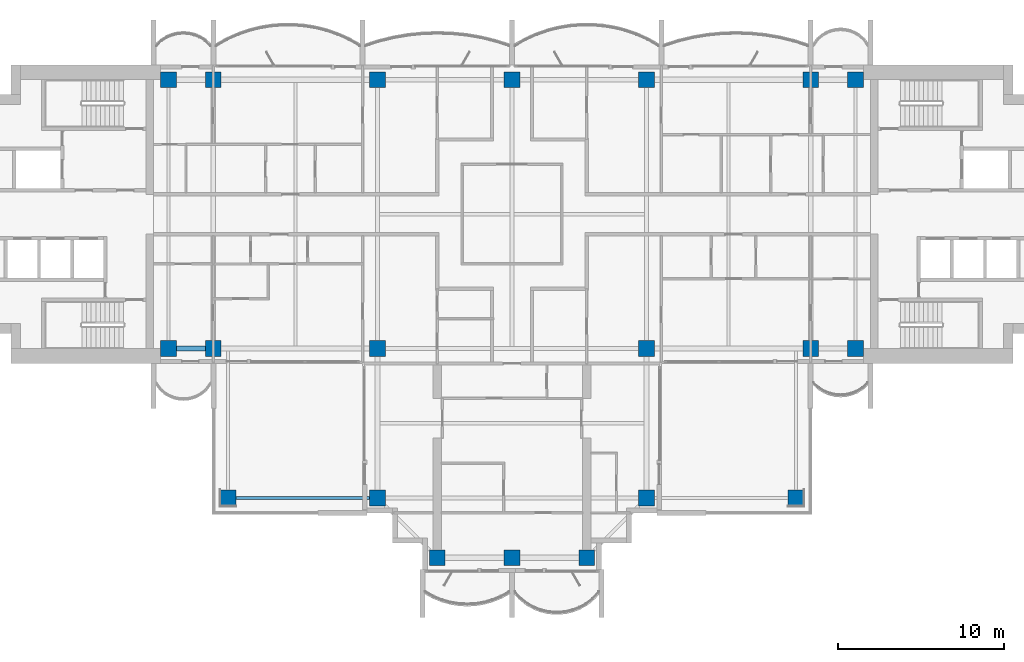
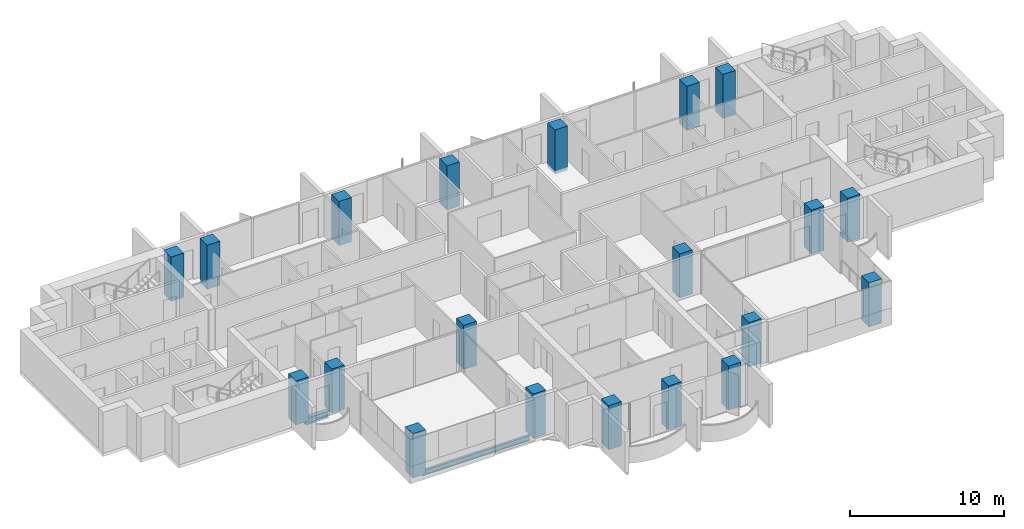
# One storey, part 1 of 17: 20 columns, 2 beams.
"""IFC4 building model written with IfcOpenShell, lengths in metres."""

from ifc_helpers import new_model, si_unit, direction, frame, origin, origin_2d, place, context, subcontext, project, spatial, rectangle, i_section, extrude, material, material_profile, profile_set, type_object, element, save


model = new_model("IFC4")

# Units and contexts
model_context = context("Model", 3, precision=1e-05, world=origin(), true_north=direction((0.0, 1.0)))
body_context = subcontext(model_context, "Body", "Model", "MODEL_VIEW")
ifc_project = project(units=[si_unit("LENGTHUNIT", "METRE"), si_unit("AREAUNIT", "SQUARE_METRE"), si_unit("VOLUMEUNIT", "CUBIC_METRE"), si_unit("PLANEANGLEUNIT", "RADIAN"), si_unit("MASSUNIT", "GRAM", prefix="KILO")], contexts=[model_context])

# Site, building, storey
site_placement = place(None, origin())
site = spatial("IfcSite", under=ifc_project, at=site_placement, CompositionType="ELEMENT")
building_placement = place(site_placement, origin())
building = spatial("IfcBuilding", under=site, at=building_placement, Name="Perihelion Cross Residences", CompositionType="ELEMENT")
storey_placement = place(building_placement, frame((0.0, 0.0, 201.60009765625)))
storey = spatial("IfcBuildingStorey", under=building, at=storey_placement, Name="L50", CompositionType="ELEMENT", Elevation=201.60009765625)

# Columns
ifc_material_1 = material(Name="Concrete C60/75", Category="concrete")
ifc_material_profile_1 = material_profile(ifc_material_1, rectangle(XDim=0.949951171875, YDim=0.949951171875, at=origin_2d()), Name="RC 950x950")
ifc_profile_set_1 = profile_set([ifc_material_profile_1], Name="Concrete C60/75")
column_type = type_object("IfcColumnType", Name="Reinforced concrete column 950x950 C60/75", PredefinedType="COLUMN", material=ifc_profile_set_1)
for number, where, z_axis, x_axis, name in (
    (1, (-20.699951171875, -8.10009765625, -0.25), (0.0, 0.0, 1.0), (1.0, 0.0, 0.0), "Column C017 L50 no. 1"),
    (2, (-20.699951171875, 8.10009765625, -0.25), (0.0, 0.0, 1.0), (1.0, 0.0, 0.0), "Column C010 L50 no. 1"),
    (3, (-18.0, -8.10009765625, -0.25), (0.0, 0.0, 1.0), (1.0, 0.0, 0.0), "Column C018 L50 no. 1"),
    (4, (-18.0, 8.10009765625, -0.25), (0.0, 0.0, 1.0), (1.0, 0.0, 0.0), "Column C011 L50 no. 1"),
    (5, (-8.10009765625, -17.10009765625, -0.25), (0.0, 0.0, 1.0), (1.0, 0.0, 0.0), "Column C031 L50 no. 1"),
    (6, (-8.10009765625, -8.10009765625, -0.25), (0.0, 0.0, 1.0), (1.0, 0.0, 0.0), "Column C019 L50 no. 1"),
    (7, (-8.10009765625, 8.10009765625, -0.25), (0.0, 0.0, 1.0), (1.0, 0.0, 0.0), "Column C012 L50 no. 1"),
    (8, (-4.5, -20.699951171875, -0.25), (0.0, 0.0, 1.0), (1.0, 0.0, 0.0), "Column C037 L50 no. 1"),
    (9, (0.0, -20.699951171875, -0.25), (0.0, 0.0, 1.0), (1.0, 0.0, 0.0), "Column C038 L50 no. 1"),
    (10, (0.0, 8.10009765625, -0.25), (0.0, 0.0, 1.0), (1.0, 0.0, 0.0), "Column C013 L50 no. 1"),
    (11, (4.5, -20.699951171875, -0.25), (0.0, 0.0, 1.0), (1.0, 0.0, 0.0), "Column C039 L50 no. 1"),
    (12, (8.10009765625, -17.10009765625, -0.25), (0.0, 0.0, 1.0), (1.0, 0.0, 0.0), "Column C035 L50 no. 1"),
    (13, (8.10009765625, -8.10009765625, -0.25), (0.0, 0.0, 1.0), (1.0, 0.0, 0.0), "Column C020 L50 no. 1"),
    (14, (8.10009765625, 8.10009765625, -0.25), (0.0, 0.0, 1.0), (1.0, 0.0, 0.0), "Column C014 L50 no. 1"),
    (15, (18.0, -8.10009765625, -0.25), (0.0, 0.0, 1.0), (1.0, 0.0, 0.0), "Column C021 L50 no. 1"),
    (16, (18.0, 8.10009765625, -0.25), (0.0, 0.0, 1.0), (1.0, 0.0, 0.0), "Column C015 L50 no. 1"),
    (17, (20.699951171875, -8.10009765625, -0.25), (0.0, 0.0, 1.0), (1.0, 0.0, 0.0), "Column C022 L50 no. 1"),
    (18, (20.699951171875, 8.10009765625, -0.25), (0.0, 0.0, 1.0), (1.0, 0.0, 0.0), "Column C016 L50 no. 1"),
    (19, (-17.10009765625, -17.10009765625, -0.25), (0.0, 0.0, 1.0), (1.0, 0.0, 0.0), "Column C030 L50 no. 1"),
    (20, (17.10009765625, -17.10009765625, -0.25), (0.0, 0.0, 1.0), (1.0, 0.0, 0.0), "Column C036 L50 no. 1"),
):
    element("IfcColumn", number, at=place(storey_placement, frame(where, z_axis=z_axis, x_axis=x_axis)), inside=storey, type_object=column_type, Name=name, PredefinedType="COLUMN", context=body_context, shape_type="SweptSolid", body=[
        extrude(rectangle(XDim=0.949951171875, YDim=0.949951171875, at=origin_2d()), origin(), (0.0, 0.0, 1.0), 3.5),
    ])

# Beams
ifc_material_2 = material(Name="Steel S355", Category="steel")
ifc_material_profile_2 = material_profile(ifc_material_2, i_section(OverallWidth=0.177978515625, OverallDepth=0.406005859375, WebThickness=0.0078125, FlangeThickness=0.0126953125, at=origin_2d()), Name="W410x60")
ifc_profile_set_2 = profile_set([ifc_material_profile_2], Name="Steel S355")
beam_type_1 = type_object("IfcBeamType", Name="Core edge beam W410x60", PredefinedType="BEAM", material=ifc_profile_set_2)
beam_1_placement = place(storey_placement, frame((-8.574951171875, -17.10009765625, -0.453125), z_axis=(-1.0, 0.0, 0.0), x_axis=(0.0, -1.0, 0.0)))
element("IfcBeam", 21, at=beam_1_placement, inside=storey, type_object=beam_type_1, Name="Core edge beam TB2 L50 corner no. 2", PredefinedType="BEAM", context=body_context, shape_type="SweptSolid", body=[
    extrude(i_section(OverallWidth=0.177978515625, OverallDepth=0.406005859375, WebThickness=0.0078125, FlangeThickness=0.0126953125, at=origin_2d()), origin(), (0.0, 0.0, 1.0), 8.050048828125),
])
ifc_material_3 = material(Name="Steel S355", Category="steel")
ifc_material_profile_3 = material_profile(ifc_material_3, i_section(OverallWidth=0.31201171875, OverallDepth=0.5439453125, WebThickness=0.0126953125, FlangeThickness=0.020263671875, at=origin_2d()), Name="W530x150")
ifc_profile_set_3 = profile_set([ifc_material_profile_3], Name="Steel S355")
beam_type_2 = type_object("IfcBeamType", Name="Edge beam W530x150", PredefinedType="SPANDREL", material=ifc_profile_set_3)
beam_2_placement = place(storey_placement, frame((-20.22509765625, -8.10009765625, -0.522216796875), z_axis=(1.0, 0.0, 0.0), x_axis=(0.0, 1.0, 0.0)))
element("IfcBeam", 22, at=beam_2_placement, inside=storey, type_object=beam_type_2, Name="Edge beam SB4 L50 no. 3", PredefinedType="SPANDREL", context=body_context, shape_type="SweptSolid", body=[
    extrude(i_section(OverallWidth=0.31201171875, OverallDepth=0.5439453125, WebThickness=0.0126953125, FlangeThickness=0.020263671875, at=origin_2d()), origin(), (0.0, 0.0, 1.0), 1.75),
])

save(model, "model.ifc")
